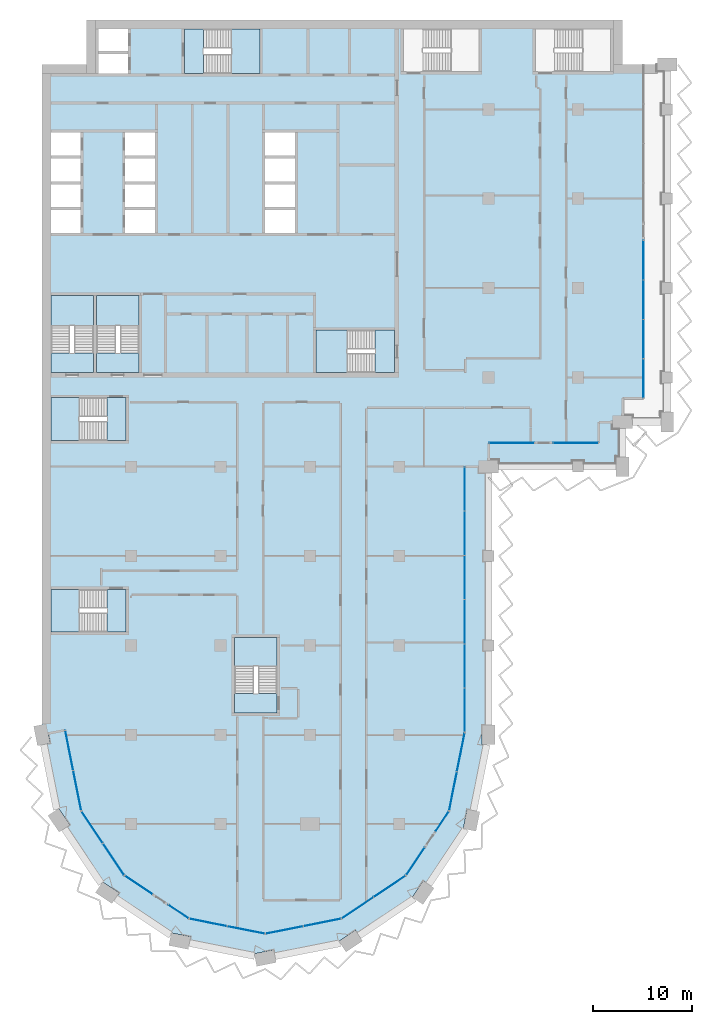
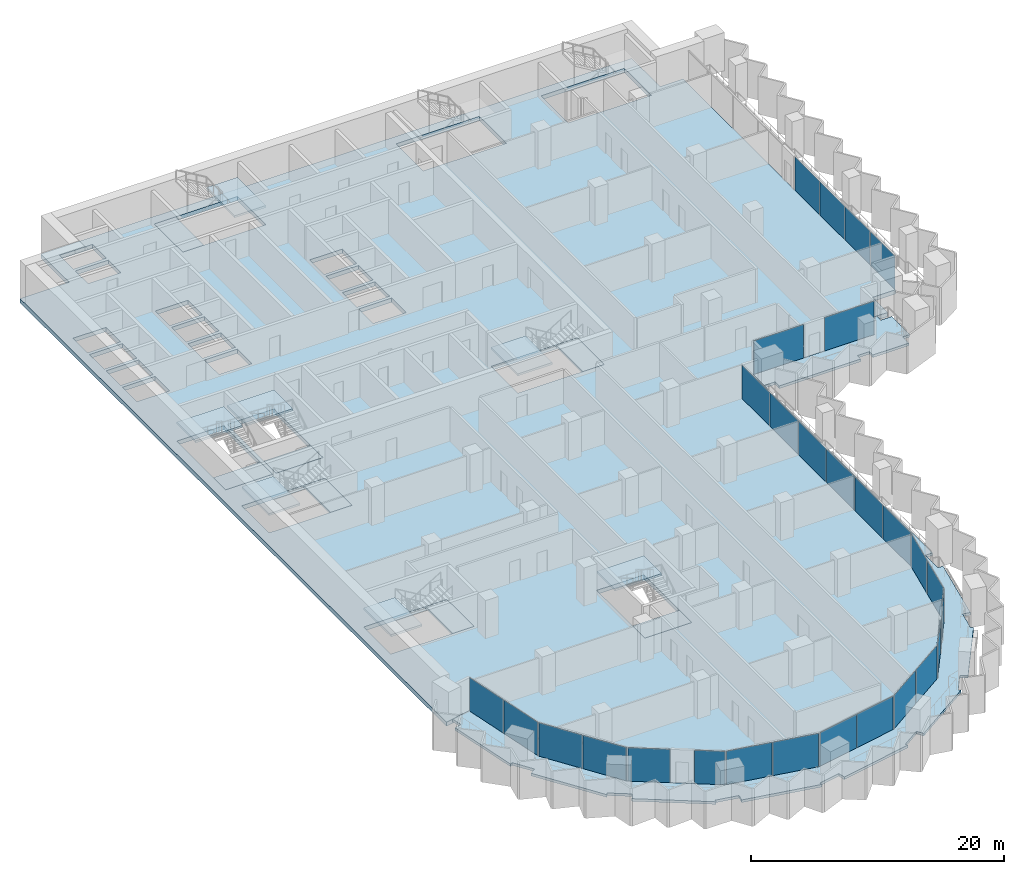
# One storey, part 7 of 23: 28 plates, 17 slabs, 21 elements without a shape of their own.
"""IFC4 building model written with IfcOpenShell, lengths in metres."""

from ifc_helpers import new_model, si_unit, direction, frame, origin, origin_2d, place, context, subcontext, project, spatial, polyline, rectangle, outline, extrude, material, layer, layer_set, type_object, element, aggregate, save


model = new_model("IFC4")

# Units and contexts
model_context = context("Model", 3, precision=1e-05, world=origin(), true_north=direction((0.0, 1.0)))
body_context = subcontext(model_context, "Body", "Model", "MODEL_VIEW")
ifc_project = project(units=[si_unit("LENGTHUNIT", "METRE"), si_unit("AREAUNIT", "SQUARE_METRE"), si_unit("VOLUMEUNIT", "CUBIC_METRE"), si_unit("PLANEANGLEUNIT", "RADIAN"), si_unit("MASSUNIT", "GRAM", prefix="KILO")], contexts=[model_context])

# Site, building, storey
site_placement = place(None, origin())
site = spatial("IfcSite", under=ifc_project, at=site_placement, CompositionType="ELEMENT")
building_placement = place(site_placement, origin())
building = spatial("IfcBuilding", under=site, at=building_placement, Name="Hunhe Ridgeline Campus", CompositionType="ELEMENT")
storey_placement = place(building_placement, frame((0.0, 0.0, 152.300048828125)))
storey = spatial("IfcBuildingStorey", under=building, at=storey_placement, Name="L38", CompositionType="ELEMENT", Elevation=152.300048828125)

# Curtain wall, plates
ifc_material_1 = material(Name="Aluminium 6063", Category="aluminium")
curtain_wall_type_1 = type_object("IfcCurtainWallType", Name="Curtain wall CW-5", PredefinedType="NOTDEFINED", material=ifc_material_1)
curtain_wall_1_placement = place(storey_placement, origin())
curtain_wall_1 = element("IfcCurtainWall", 1, at=curtain_wall_1_placement, inside=storey, type_object=curtain_wall_type_1, Name="Curtain wall 01", PredefinedType="NOTDEFINED")
ifc_material_2 = material(Name="Low-e laminated glass", Category="glass")
ifc_layer_1 = layer(ifc_material_2, 0.028076171875)
ifc_layer_set_1 = layer_set([ifc_layer_1], Name="Curtain wall glass panel 28 low-e laminated")
plate_type = type_object("IfcPlateType", Name="Curtain wall glass panel 28 low-e laminated", PredefinedType="CURTAIN_PANEL", material=ifc_layer_set_1)
plate_1_placement = place(storey_placement, frame((2.76318359375, 25.416015625, 0.0), z_axis=(0.0, 0.0, 1.0), x_axis=(0.195095347137, -0.980784280831, 0.0)))
plate_1 = element("IfcPlate", 2, at=plate_1_placement, type_object=plate_type, Name="CW-5 panel 1", PredefinedType="CURTAIN_PANEL", context=body_context, shape_type="SweptSolid", body=[
    extrude(rectangle(XDim=4.0458984375, YDim=0.028076171875, at=origin_2d()), origin(), (0.0, 0.0, 1.0), 3.22998046875),
])
plate_2_placement = place(storey_placement, frame((3.566162109375, 21.379150390625, 0.0), z_axis=(0.0, 0.0, 1.0), x_axis=(0.195095347137, -0.980784280831, 0.0)))
plate_2 = element("IfcPlate", 3, at=plate_2_placement, type_object=plate_type, Name="CW-5 panel 2", PredefinedType="CURTAIN_PANEL", context=body_context, shape_type="SweptSolid", body=[
    extrude(rectangle(XDim=4.0458984375, YDim=0.028076171875, at=origin_2d()), origin(), (0.0, 0.0, 1.0), 3.22998046875),
])
aggregate(curtain_wall_1, [plate_1, plate_2])

curtain_wall_2_placement = place(storey_placement, origin())
curtain_wall_2 = element("IfcCurtainWall", 4, at=curtain_wall_2_placement, inside=storey, type_object=curtain_wall_type_1, Name="Curtain wall 02", PredefinedType="NOTDEFINED")
plate_3_placement = place(storey_placement, frame((5.07080078125, 17.685546875, 0.0), z_axis=(0.0, 0.0, 1.0), x_axis=(0.555570274596, -0.831469584522, 0.0)))
plate_3 = element("IfcPlate", 5, at=plate_3_placement, type_object=plate_type, Name="CW-5 panel 1", PredefinedType="CURTAIN_PANEL", context=body_context, shape_type="SweptSolid", body=[
    extrude(rectangle(XDim=3.806884765625, YDim=0.028076171875, at=origin_2d()), origin(), (0.0, 0.0, 1.0), 3.22998046875),
])
plate_4_placement = place(storey_placement, frame((7.224609375, 14.4619140625, 0.0), z_axis=(0.0, 0.0, 1.0), x_axis=(0.555570274596, -0.831469584522, 0.0)))
plate_4 = element("IfcPlate", 6, at=plate_4_placement, type_object=plate_type, Name="CW-5 panel 2", PredefinedType="CURTAIN_PANEL", context=body_context, shape_type="SweptSolid", body=[
    extrude(rectangle(XDim=3.806884765625, YDim=0.028076171875, at=origin_2d()), origin(), (0.0, 0.0, 1.0), 3.22998046875),
])
aggregate(curtain_wall_2, [plate_3, plate_4])

# Curtain wall, plate
curtain_wall_3_placement = place(storey_placement, origin())
curtain_wall_3 = element("IfcCurtainWall", 7, at=curtain_wall_3_placement, inside=storey, type_object=curtain_wall_type_1, Name="Curtain wall 03", PredefinedType="NOTDEFINED")
plate_5_placement = place(storey_placement, frame((9.76025390625, 11.859375, 0.0), z_axis=(0.0, 0.0, 1.0), x_axis=(0.831469595944, -0.555570257501, 0.0)))
plate_5 = element("IfcPlate", 8, at=plate_5_placement, type_object=plate_type, Name="CW-5 panel 1", PredefinedType="CURTAIN_PANEL", context=body_context, shape_type="SweptSolid", body=[
    extrude(rectangle(XDim=3.322021484375, YDim=0.028076171875, at=origin_2d()), origin(), (0.0, 0.0, 1.0), 3.22998046875),
])
aggregate(curtain_wall_3, [plate_5])

curtain_wall_4_placement = place(storey_placement, origin())
curtain_wall_4 = element("IfcCurtainWall", 9, at=curtain_wall_4_placement, inside=storey, type_object=curtain_wall_type_1, Name="Curtain wall 04", PredefinedType="NOTDEFINED")
plate_6_placement = place(storey_placement, frame((13.761474609375, 9.18603515625, 0.0), z_axis=(0.0, 0.0, 1.0), x_axis=(0.831469510353, -0.555570385598, 0.0)))
plate_6 = element("IfcPlate", 10, at=plate_6_placement, type_object=plate_type, Name="CW-5 panel 1", PredefinedType="CURTAIN_PANEL", context=body_context, shape_type="SweptSolid", body=[
    extrude(rectangle(XDim=2.421875, YDim=0.028076171875, at=origin_2d()), origin(), (0.0, 0.0, 1.0), 3.22998046875),
])
aggregate(curtain_wall_4, [plate_6])

# Curtain wall, plates
curtain_wall_5_placement = place(storey_placement, origin())
curtain_wall_5 = element("IfcCurtainWall", 11, at=curtain_wall_5_placement, inside=storey, type_object=curtain_wall_type_1, Name="Curtain wall 05", PredefinedType="NOTDEFINED")
plate_7_placement = place(storey_placement, frame((16.761962890625, 8.08935546875, 0.0), z_axis=(0.0, 0.0, 1.0), x_axis=(0.980785275326, -0.195090347539, 0.0)))
plate_7 = element("IfcPlate", 12, at=plate_7_placement, type_object=plate_type, Name="CW-5 panel 1", PredefinedType="CURTAIN_PANEL", context=body_context, shape_type="SweptSolid", body=[
    extrude(rectangle(XDim=3.806884765625, YDim=0.028076171875, at=origin_2d()), origin(), (0.0, 0.0, 1.0), 3.22998046875),
])
plate_8_placement = place(storey_placement, frame((20.564453125, 7.3330078125, 0.0), z_axis=(0.0, 0.0, 1.0), x_axis=(0.980785275326, -0.195090347539, 0.0)))
plate_8 = element("IfcPlate", 13, at=plate_8_placement, type_object=plate_type, Name="CW-5 panel 2", PredefinedType="CURTAIN_PANEL", context=body_context, shape_type="SweptSolid", body=[
    extrude(rectangle(XDim=3.806884765625, YDim=0.028076171875, at=origin_2d()), origin(), (0.0, 0.0, 1.0), 3.22998046875),
])
aggregate(curtain_wall_5, [plate_7, plate_8])

curtain_wall_6_placement = place(storey_placement, origin())
curtain_wall_6 = element("IfcCurtainWall", 14, at=curtain_wall_6_placement, inside=storey, type_object=curtain_wall_type_1, Name="Curtain wall 06", PredefinedType="NOTDEFINED")
plate_9_placement = place(storey_placement, frame((24.435546875, 7.3330078125, 0.0), z_axis=(0.0, 0.0, 1.0), x_axis=(0.980785275326, 0.195090347539, 0.0)))
plate_9 = element("IfcPlate", 15, at=plate_9_placement, type_object=plate_type, Name="CW-5 panel 1", PredefinedType="CURTAIN_PANEL", context=body_context, shape_type="SweptSolid", body=[
    extrude(rectangle(XDim=3.806884765625, YDim=0.028076171875, at=origin_2d()), origin(), (0.0, 0.0, 1.0), 3.22998046875),
])
plate_10_placement = place(storey_placement, frame((28.238037109375, 8.08935546875, 0.0), z_axis=(0.0, 0.0, 1.0), x_axis=(0.980785275326, 0.195090347539, 0.0)))
plate_10 = element("IfcPlate", 16, at=plate_10_placement, type_object=plate_type, Name="CW-5 panel 2", PredefinedType="CURTAIN_PANEL", context=body_context, shape_type="SweptSolid", body=[
    extrude(rectangle(XDim=3.806884765625, YDim=0.028076171875, at=origin_2d()), origin(), (0.0, 0.0, 1.0), 3.22998046875),
])
aggregate(curtain_wall_6, [plate_9, plate_10])

curtain_wall_7_placement = place(storey_placement, origin())
curtain_wall_7 = element("IfcCurtainWall", 17, at=curtain_wall_7_placement, inside=storey, type_object=curtain_wall_type_1, Name="Curtain wall 07", PredefinedType="NOTDEFINED")
plate_11_placement = place(storey_placement, frame((31.814453125, 9.57080078125, 0.0), z_axis=(0.0, 0.0, 1.0), x_axis=(0.831469584522, 0.555570274596, 0.0)))
plate_11 = element("IfcPlate", 18, at=plate_11_placement, type_object=plate_type, Name="CW-5 panel 1", PredefinedType="CURTAIN_PANEL", context=body_context, shape_type="SweptSolid", body=[
    extrude(rectangle(XDim=3.806884765625, YDim=0.028076171875, at=origin_2d()), origin(), (0.0, 0.0, 1.0), 3.22998046875),
])
plate_12_placement = place(storey_placement, frame((35.0380859375, 11.724609375, 0.0), z_axis=(0.0, 0.0, 1.0), x_axis=(0.831469584522, 0.555570274596, 0.0)))
plate_12 = element("IfcPlate", 19, at=plate_12_placement, type_object=plate_type, Name="CW-5 panel 2", PredefinedType="CURTAIN_PANEL", context=body_context, shape_type="SweptSolid", body=[
    extrude(rectangle(XDim=3.806884765625, YDim=0.028076171875, at=origin_2d()), origin(), (0.0, 0.0, 1.0), 3.22998046875),
])
aggregate(curtain_wall_7, [plate_11, plate_12])

# Curtain wall, plate
curtain_wall_8_placement = place(storey_placement, origin())
curtain_wall_8 = element("IfcCurtainWall", 20, at=curtain_wall_8_placement, inside=storey, type_object=curtain_wall_type_1, Name="Curtain wall 08", PredefinedType="NOTDEFINED")
plate_13_placement = place(storey_placement, frame((37.640625, 14.26025390625, 0.0), z_axis=(0.0, 0.0, 1.0), x_axis=(0.555570257501, 0.831469595944, 0.0)))
plate_13 = element("IfcPlate", 21, at=plate_13_placement, type_object=plate_type, Name="CW-5 panel 1", PredefinedType="CURTAIN_PANEL", context=body_context, shape_type="SweptSolid", body=[
    extrude(rectangle(XDim=3.322021484375, YDim=0.028076171875, at=origin_2d()), origin(), (0.0, 0.0, 1.0), 3.22998046875),
])
aggregate(curtain_wall_8, [plate_13])

curtain_wall_9_placement = place(storey_placement, origin())
curtain_wall_9 = element("IfcCurtainWall", 22, at=curtain_wall_9_placement, inside=storey, type_object=curtain_wall_type_1, Name="Curtain wall 09", PredefinedType="NOTDEFINED")
plate_14_placement = place(storey_placement, frame((40.31396484375, 18.261474609375, 0.0), z_axis=(0.0, 0.0, 1.0), x_axis=(0.555570385598, 0.831469510353, 0.0)))
plate_14 = element("IfcPlate", 23, at=plate_14_placement, type_object=plate_type, Name="CW-5 panel 1", PredefinedType="CURTAIN_PANEL", context=body_context, shape_type="SweptSolid", body=[
    extrude(rectangle(XDim=2.421875, YDim=0.028076171875, at=origin_2d()), origin(), (0.0, 0.0, 1.0), 3.22998046875),
])
aggregate(curtain_wall_9, [plate_14])

# Curtain wall, plates
curtain_wall_10_placement = place(storey_placement, origin())
curtain_wall_10 = element("IfcCurtainWall", 24, at=curtain_wall_10_placement, inside=storey, type_object=curtain_wall_type_1, Name="Curtain wall 10", PredefinedType="NOTDEFINED")
plate_15_placement = place(storey_placement, frame((41.42236328125, 21.321044921875, 0.0), z_axis=(0.0, 0.0, 1.0), x_axis=(0.195090299215, 0.980785284939, 0.0)))
plate_15 = element("IfcPlate", 25, at=plate_15_placement, type_object=plate_type, Name="CW-5 panel 1", PredefinedType="CURTAIN_PANEL", context=body_context, shape_type="SweptSolid", body=[
    extrude(rectangle(XDim=3.927490234375, YDim=0.028076171875, at=origin_2d()), origin(), (0.0, 0.0, 1.0), 3.22998046875),
])
plate_16_placement = place(storey_placement, frame((42.2021484375, 25.24169921875, 0.0), z_axis=(0.0, 0.0, 1.0), x_axis=(0.195090299215, 0.980785284939, 0.0)))
plate_16 = element("IfcPlate", 26, at=plate_16_placement, type_object=plate_type, Name="CW-5 panel 2", PredefinedType="CURTAIN_PANEL", context=body_context, shape_type="SweptSolid", body=[
    extrude(rectangle(XDim=3.927490234375, YDim=0.028076171875, at=origin_2d()), origin(), (0.0, 0.0, 1.0), 3.22998046875),
])
aggregate(curtain_wall_10, [plate_15, plate_16])

curtain_wall_type_2 = type_object("IfcCurtainWallType", Name="Curtain wall CW-1", PredefinedType="NOTDEFINED", material=ifc_material_1)
curtain_wall_11_placement = place(storey_placement, origin())
curtain_wall_11 = element("IfcCurtainWall", 27, at=curtain_wall_11_placement, inside=storey, type_object=curtain_wall_type_2, Name="Curtain wall 11", PredefinedType="NOTDEFINED")
plate_17_placement = place(storey_placement, frame((42.59912109375, 29.481689453125, 0.0), z_axis=(0.0, 0.0, 1.0), x_axis=(4.408911e-06, 0.99999999999, 0.0)))
plate_17 = element("IfcPlate", 28, at=plate_17_placement, type_object=plate_type, Name="CW-1 panel 1", PredefinedType="CURTAIN_PANEL", context=body_context, shape_type="SweptSolid", body=[
    extrude(rectangle(XDim=4.37060546875, YDim=0.028076171875, at=origin_2d()), origin(), (0.0, 0.0, 1.0), 3.239990234375),
])
plate_18_placement = place(storey_placement, frame((42.59912109375, 33.927490234375, 0.0), z_axis=(0.0, 0.0, 1.0), x_axis=(4.408911e-06, 0.99999999999, 0.0)))
plate_18 = element("IfcPlate", 29, at=plate_18_placement, type_object=plate_type, Name="CW-1 panel 2", PredefinedType="CURTAIN_PANEL", context=body_context, shape_type="SweptSolid", body=[
    extrude(rectangle(XDim=4.400634765625, YDim=0.028076171875, at=origin_2d()), origin(), (0.0, 0.0, 1.0), 3.239990234375),
])
plate_19_placement = place(storey_placement, frame((42.59912109375, 38.38818359375, 0.0), z_axis=(0.0, 0.0, 1.0), x_axis=(4.408911e-06, 0.99999999999, 0.0)))
plate_19 = element("IfcPlate", 30, at=plate_19_placement, type_object=plate_type, Name="CW-1 panel 3", PredefinedType="CURTAIN_PANEL", context=body_context, shape_type="SweptSolid", body=[
    extrude(rectangle(XDim=4.400634765625, YDim=0.028076171875, at=origin_2d()), origin(), (0.0, 0.0, 1.0), 3.239990234375),
])
plate_20_placement = place(storey_placement, frame((42.59912109375, 42.848876953125, 0.0), z_axis=(0.0, 0.0, 1.0), x_axis=(4.408911e-06, 0.99999999999, 0.0)))
plate_20 = element("IfcPlate", 31, at=plate_20_placement, type_object=plate_type, Name="CW-1 panel 4", PredefinedType="CURTAIN_PANEL", context=body_context, shape_type="SweptSolid", body=[
    extrude(rectangle(XDim=4.400634765625, YDim=0.028076171875, at=origin_2d()), origin(), (0.0, 0.0, 1.0), 3.239990234375),
])
plate_21_placement = place(storey_placement, frame((42.59912109375, 47.3095703125, 0.0), z_axis=(0.0, 0.0, 1.0), x_axis=(4.408911e-06, 0.99999999999, 0.0)))
plate_21 = element("IfcPlate", 32, at=plate_21_placement, type_object=plate_type, Name="CW-1 panel 5", PredefinedType="CURTAIN_PANEL", context=body_context, shape_type="SweptSolid", body=[
    extrude(rectangle(XDim=4.400634765625, YDim=0.028076171875, at=origin_2d()), origin(), (0.0, 0.0, 1.0), 3.239990234375),
])
plate_22_placement = place(storey_placement, frame((42.59912109375, 51.755126953125, 0.0), z_axis=(0.0, 0.0, 1.0), x_axis=(4.408911e-06, 0.99999999999, 0.0)))
plate_22 = element("IfcPlate", 33, at=plate_22_placement, type_object=plate_type, Name="CW-1 panel 6", PredefinedType="CURTAIN_PANEL", context=body_context, shape_type="SweptSolid", body=[
    extrude(rectangle(XDim=4.37060546875, YDim=0.028076171875, at=origin_2d()), origin(), (0.0, 0.0, 1.0), 3.239990234375),
])
aggregate(curtain_wall_11, [plate_17, plate_18, plate_19, plate_20, plate_21, plate_22])

# Curtain wall, plate
curtain_wall_12_placement = place(storey_placement, origin())
curtain_wall_12 = element("IfcCurtainWall", 34, at=curtain_wall_12_placement, inside=storey, type_object=curtain_wall_type_2, Name="Curtain wall 12", PredefinedType="NOTDEFINED")
plate_23_placement = place(storey_placement, frame((47.32470703125, 56.40087890625, 0.0), z_axis=(0.0, 0.0, 1.0), x_axis=(0.999999999999, 1.72058e-06, 0.0)))
plate_23 = element("IfcPlate", 35, at=plate_23_placement, type_object=plate_type, Name="CW-1 panel 1", PredefinedType="CURTAIN_PANEL", context=body_context, shape_type="SweptSolid", body=[
    extrude(rectangle(XDim=4.529541015625, YDim=0.028076171875, at=origin_2d()), origin(), (0.0, 0.0, 1.0), 3.239990234375),
])
aggregate(curtain_wall_12, [plate_23])

curtain_wall_13_placement = place(storey_placement, origin())
curtain_wall_13 = element("IfcCurtainWall", 36, at=curtain_wall_13_placement, inside=storey, type_object=curtain_wall_type_2, Name="Curtain wall 13", PredefinedType="NOTDEFINED")
plate_24_placement = place(storey_placement, frame((53.774169921875, 56.40087890625, 0.0), z_axis=(0.0, 0.0, 1.0), x_axis=(0.999999999999, 1.72058e-06, 0.0)))
plate_24 = element("IfcPlate", 37, at=plate_24_placement, type_object=plate_type, Name="CW-1 panel 1", PredefinedType="CURTAIN_PANEL", context=body_context, shape_type="SweptSolid", body=[
    extrude(rectangle(XDim=4.529541015625, YDim=0.028076171875, at=origin_2d()), origin(), (0.0, 0.0, 1.0), 3.239990234375),
])
aggregate(curtain_wall_13, [plate_24])

# Curtain wall, plates
curtain_wall_14_placement = place(storey_placement, origin())
curtain_wall_14 = element("IfcCurtainWall", 38, at=curtain_wall_14_placement, inside=storey, type_object=curtain_wall_type_2, Name="Curtain wall 14", PredefinedType="NOTDEFINED")
plate_25_placement = place(storey_placement, frame((60.59912109375, 62.9033203125, 0.0), z_axis=(0.0, 0.0, 1.0), x_axis=(0.0, 1.0, 0.0)))
plate_25 = element("IfcPlate", 39, at=plate_25_placement, type_object=plate_type, Name="CW-1 panel 1", PredefinedType="CURTAIN_PANEL", context=body_context, shape_type="SweptSolid", body=[
    extrude(rectangle(XDim=3.884765625, YDim=0.028076171875, at=origin_2d()), origin(), (0.0, 0.0, 1.0), 3.239990234375),
])
plate_26_placement = place(storey_placement, frame((60.59912109375, 66.86328125, 0.0), z_axis=(0.0, 0.0, 1.0), x_axis=(0.0, 1.0, 0.0)))
plate_26 = element("IfcPlate", 40, at=plate_26_placement, type_object=plate_type, Name="CW-1 panel 2", PredefinedType="CURTAIN_PANEL", context=body_context, shape_type="SweptSolid", body=[
    extrude(rectangle(XDim=3.914794921875, YDim=0.028076171875, at=origin_2d()), origin(), (0.0, 0.0, 1.0), 3.239990234375),
])
plate_27_placement = place(storey_placement, frame((60.59912109375, 70.838134765625, 0.0), z_axis=(0.0, 0.0, 1.0), x_axis=(0.0, 1.0, 0.0)))
plate_27 = element("IfcPlate", 41, at=plate_27_placement, type_object=plate_type, Name="CW-1 panel 3", PredefinedType="CURTAIN_PANEL", context=body_context, shape_type="SweptSolid", body=[
    extrude(rectangle(XDim=3.914794921875, YDim=0.028076171875, at=origin_2d()), origin(), (0.0, 0.0, 1.0), 3.239990234375),
])
plate_28_placement = place(storey_placement, frame((60.59912109375, 74.798095703125, 0.0), z_axis=(0.0, 0.0, 1.0), x_axis=(0.0, 1.0, 0.0)))
plate_28 = element("IfcPlate", 42, at=plate_28_placement, type_object=plate_type, Name="CW-1 panel 4", PredefinedType="CURTAIN_PANEL", context=body_context, shape_type="SweptSolid", body=[
    extrude(rectangle(XDim=3.884765625, YDim=0.028076171875, at=origin_2d()), origin(), (0.0, 0.0, 1.0), 3.239990234375),
])
aggregate(curtain_wall_14, [plate_25, plate_26, plate_27, plate_28])

# Slabs
ifc_material_3 = material(Name="Concrete C40", Category="concrete")
ifc_layer_2 = layer(ifc_material_3, 0.39990234375)
ifc_layer_set_2 = layer_set([ifc_layer_2], Name="Floor slab 400 Concrete C40")
slab_type_1 = type_object("IfcSlabType", Name="Floor slab 400 Concrete C40", PredefinedType="FLOOR", material=ifc_layer_set_2)
slab_1_placement = place(storey_placement, frame((0.0, 0.0, -0.400146484375)))
element("IfcSlab", 43, at=slab_1_placement, inside=storey, type_object=slab_type_1, Name="Floor slab L38 1", PredefinedType="FLOOR", context=body_context, shape_type="SweptSolid", body=[
    extrude(outline(polyline([(2.354736328125, 27.46875), (3.974365234375, 19.326416015625), (8.321044921875, 12.821044921875), (14.826416015625, 8.474365234375), (22.5, 6.947998046875), (30.173583984375, 8.474365234375), (36.678955078125, 12.821044921875), (41.025634765625, 19.326416015625), (42.59912109375, 27.236572265625), (42.59912109375, 54.00048828125), (44.9990234375, 54.0009765625), (44.999755859375, 56.40087890625), (56.09912109375, 56.40087890625), (56.099365234375, 58.500732421875), (58.4990234375, 58.5009765625), (58.499267578125, 60.900634765625), (60.59912109375, 60.90087890625), (60.59912109375, 94.5), (58.5, 94.5), (58.5, 99.0), (4.5, 99.0), (4.5, 94.5), (0.0, 94.5), (0.0, 27.0009765625), (2.354736328125, 27.46875)]), holes=[polyline([(49.699951171875, 93.800048828125), (57.300048828125, 93.800048828125), (57.300048828125, 98.10009765625), (49.699951171875, 98.10009765625), (49.699951171875, 93.800048828125)]), polyline([(44.050048828125, 93.800048828125), (44.050048828125, 98.10009765625), (36.449951171875, 98.10009765625), (36.449951171875, 93.800048828125), (44.050048828125, 93.800048828125)]), polyline([(35.5, 67.75), (27.60009765625, 67.75), (27.60009765625, 63.5), (35.5, 63.5), (35.5, 67.75)]), polyline([(25.5, 82.75), (25.5, 85.050048828125), (22.5, 85.050048828125), (22.5, 82.75), (25.5, 82.75)]), polyline([(25.5, 82.449951171875), (22.5, 82.449951171875), (22.5, 80.14990234375), (25.5, 80.14990234375), (25.5, 82.449951171875)]), polyline([(22.5, 85.35009765625), (25.5, 85.35009765625), (25.5, 87.64990234375), (22.5, 87.64990234375), (22.5, 85.35009765625)]), polyline([(22.5, 79.85009765625), (22.5, 77.550048828125), (25.5, 77.550048828125), (25.5, 79.85009765625), (22.5, 79.85009765625)]), polyline([(19.39990234375, 29.199951171875), (23.699951171875, 29.199951171875), (23.699951171875, 36.800048828125), (19.39990234375, 36.800048828125), (19.39990234375, 29.199951171875)]), polyline([(21.949951171875, 93.60009765625), (21.949951171875, 98.10009765625), (14.35009765625, 98.10009765625), (14.35009765625, 93.60009765625), (21.949951171875, 93.60009765625)]), polyline([(8.39990234375, 79.85009765625), (8.39990234375, 77.550048828125), (11.39990234375, 77.550048828125), (11.39990234375, 79.85009765625), (8.39990234375, 79.85009765625)]), polyline([(8.39990234375, 85.35009765625), (11.39990234375, 85.35009765625), (11.39990234375, 87.64990234375), (8.39990234375, 87.64990234375), (8.39990234375, 85.35009765625)]), polyline([(11.39990234375, 82.449951171875), (8.39990234375, 82.449951171875), (8.39990234375, 80.14990234375), (11.39990234375, 80.14990234375), (11.39990234375, 82.449951171875)]), polyline([(11.39990234375, 82.75), (11.39990234375, 85.050048828125), (8.39990234375, 85.050048828125), (8.39990234375, 82.75), (11.39990234375, 82.75)]), polyline([(5.5, 71.25), (5.5, 63.5), (9.800048828125, 63.5), (9.800048828125, 71.25), (5.5, 71.25)]), polyline([(8.699951171875, 98.10009765625), (5.699951171875, 98.10009765625), (5.699951171875, 95.89990234375), (8.699951171875, 95.89990234375), (8.699951171875, 98.10009765625)]), polyline([(5.699951171875, 95.60009765625), (5.699951171875, 93.60009765625), (8.699951171875, 93.60009765625), (8.699951171875, 95.60009765625), (5.699951171875, 95.60009765625)]), polyline([(0.89990234375, 60.949951171875), (0.89990234375, 56.64990234375), (8.5, 56.64990234375), (8.5, 60.949951171875), (0.89990234375, 60.949951171875)]), polyline([(0.89990234375, 37.35009765625), (8.5, 37.35009765625), (8.5, 41.64990234375), (0.89990234375, 41.64990234375), (0.89990234375, 37.35009765625)]), polyline([(0.89990234375, 63.5), (5.199951171875, 63.5), (5.199951171875, 71.25), (0.89990234375, 71.25), (0.89990234375, 63.5)]), polyline([(3.89990234375, 82.75), (3.89990234375, 85.050048828125), (0.89990234375, 85.050048828125), (0.89990234375, 82.75), (3.89990234375, 82.75)]), polyline([(3.89990234375, 82.449951171875), (0.89990234375, 82.449951171875), (0.89990234375, 80.14990234375), (3.89990234375, 80.14990234375), (3.89990234375, 82.449951171875)]), polyline([(0.89990234375, 85.35009765625), (3.89990234375, 85.35009765625), (3.89990234375, 87.64990234375), (0.89990234375, 87.64990234375), (0.89990234375, 85.35009765625)]), polyline([(0.89990234375, 79.85009765625), (0.89990234375, 77.550048828125), (3.89990234375, 77.550048828125), (3.89990234375, 79.85009765625), (0.89990234375, 79.85009765625)])]), origin(), (0.0, 0.0, 1.0), 0.400146484375),
])
ifc_layer_3 = layer(ifc_material_3, 0.25)
ifc_layer_set_3 = layer_set([ifc_layer_3], Name="Loggia slab 250 Concrete C40")
slab_type_2 = type_object("IfcSlabType", Name="Loggia slab 250 Concrete C40", PredefinedType="FLOOR", material=ifc_layer_set_3)
slab_2_placement = place(storey_placement, frame((0.0, 0.0, -0.25)))
element("IfcSlab", 44, at=slab_2_placement, inside=storey, type_object=slab_type_2, Name="Loggia slab 1", PredefinedType="FLOOR", context=body_context, shape_type="SweptSolid", body=[
    extrude(outline(polyline([(30.173828125, 8.473388671875), (22.5, 6.947021484375), (14.826171875, 8.473388671875), (8.3203125, 12.8203125), (3.973388671875, 19.326171875), (2.35400390625, 27.46826171875), (0.637451171875, 27.126708984375), (0.83251953125, 26.14599609375), (0.195068359375, 26.019287109375), (1.50146484375, 19.451171875), (1.697509765625, 19.582275390625), (2.808837890625, 17.919189453125), (2.268310546875, 17.55810546875), (5.98876953125, 11.989990234375), (6.11962890625, 12.18603515625), (7.78271484375, 11.074951171875), (7.421630859375, 10.534423828125), (12.98974609375, 6.81396484375), (13.03564453125, 7.04541015625), (14.997314453125, 6.655029296875), (14.870361328125, 6.017578125), (21.4384765625, 4.711181640625), (21.392333984375, 4.9423828125), (23.35400390625, 5.33251953125), (23.480712890625, 4.695068359375), (30.048828125, 6.00146484375), (29.917724609375, 6.197509765625), (31.580810546875, 7.308837890625), (31.94189453125, 6.768310546875), (37.510009765625, 10.48876953125), (37.31396484375, 10.61962890625), (38.425048828125, 12.28271484375), (38.965576171875, 11.921630859375), (42.68603515625, 17.48974609375), (42.45458984375, 17.53564453125), (42.844970703125, 19.497314453125), (43.482421875, 19.370361328125), (44.801025390625, 26.0), (44.35009765625, 26.0), (44.35009765625, 28.0), (45.0, 28.0), (45.0, 35.449951171875), (44.449951171875, 35.449951171875), (44.449951171875, 36.550048828125), (45.0, 36.550048828125), (45.0, 44.449951171875), (44.449951171875, 44.449951171875), (44.449951171875, 45.550048828125), (45.0, 45.550048828125), (45.0, 53.35009765625), (44.0, 53.35009765625), (44.0, 54.0), (42.60009765625, 54.0), (42.60009765625, 27.236328125), (41.026611328125, 19.326171875), (36.6796875, 12.8203125), (30.173828125, 8.473388671875)])), origin(), (0.0, 0.0, 1.0), 0.25),
])
slab_3_placement = place(storey_placement, frame((0.0, 0.0, -0.25)))
element("IfcSlab", 45, at=slab_3_placement, inside=storey, type_object=slab_type_2, Name="Loggia slab 2", PredefinedType="FLOOR", context=body_context, shape_type="SweptSolid", body=[
    extrude(outline(polyline([(45.0, 54.64990234375), (46.0, 54.64990234375), (46.0, 54.0), (53.449951171875, 54.0), (53.449951171875, 54.550048828125), (54.550048828125, 54.550048828125), (54.550048828125, 54.0), (57.85009765625, 54.0), (57.85009765625, 55.0), (58.5, 55.0), (58.5, 57.85009765625), (57.5, 57.85009765625), (57.5, 58.5), (56.10009765625, 58.5), (56.10009765625, 56.39990234375), (45.0, 56.39990234375), (45.0, 54.64990234375)])), origin(), (0.0, 0.0, 1.0), 0.25),
])

# Stair, slab
stair_type = type_object("IfcStairType", Name="Reinforced concrete dog-leg stair 1950 Concrete C40", PredefinedType="HALF_TURN_STAIR", material=ifc_material_3)
stair_1_placement = place(storey_placement, origin())
stair_1 = element("IfcStair", 46, at=stair_1_placement, inside=storey, type_object=stair_type, Name="L38 S1", PredefinedType="HALF_TURN_STAIR")
ifc_layer_4 = layer(ifc_material_3, 0.199951171875)
ifc_layer_set_4 = layer_set([ifc_layer_4], Name="Reinforced concrete stair landing 200 Concrete C40")
slab_type_3 = type_object("IfcSlabType", Name="Reinforced concrete stair landing 200 Concrete C40", PredefinedType="LANDING", material=ifc_layer_set_4)
slab_4_placement = place(storey_placement, frame((0.0, 0.0, 1.64990234375)))
slab_4 = element("IfcSlab", 47, at=slab_4_placement, type_object=slab_type_3, Name="ST1 landing 1", PredefinedType="LANDING", context=body_context, shape_type="SweptSolid", body=[
    extrude(outline(polyline([(19.10009765625, 93.60009765625), (21.949951171875, 93.60009765625), (21.949951171875, 98.10009765625), (19.10009765625, 98.10009765625), (19.10009765625, 93.60009765625)])), origin(), (0.0, 0.0, 1.0), 0.199951171875),
])
aggregate(stair_1, [slab_4])

# Slab
slab_5_placement = place(storey_placement, frame((0.0, 0.0, -0.199951171875)))
element("IfcSlab", 48, at=slab_5_placement, inside=storey, type_object=slab_type_3, Name="L38 stair S1 floor landing", PredefinedType="LANDING", context=body_context, shape_type="SweptSolid", body=[
    extrude(outline(polyline([(14.35009765625, 93.60009765625), (16.300048828125, 93.60009765625), (16.300048828125, 98.10009765625), (14.35009765625, 98.10009765625), (14.35009765625, 93.60009765625)])), origin(), (0.0, 0.0, 1.0), 0.199951171875),
])

# Stair, slab
stair_2_placement = place(storey_placement, origin())
stair_2 = element("IfcStair", 49, at=stair_2_placement, inside=storey, type_object=stair_type, Name="L38 S2", PredefinedType="HALF_TURN_STAIR")
slab_6_placement = place(storey_placement, frame((0.0, 0.0, 1.64990234375)))
slab_6 = element("IfcSlab", 50, at=slab_6_placement, type_object=slab_type_3, Name="ST2 landing 1", PredefinedType="LANDING", context=body_context, shape_type="SweptSolid", body=[
    extrude(outline(polyline([(30.75, 67.75), (27.60009765625, 67.75), (27.60009765625, 63.5), (30.75, 63.5), (30.75, 67.75)])), origin(), (0.0, 0.0, 1.0), 0.199951171875),
])
aggregate(stair_2, [slab_6])

# Slab
slab_7_placement = place(storey_placement, frame((0.0, 0.0, -0.199951171875)))
element("IfcSlab", 51, at=slab_7_placement, inside=storey, type_object=slab_type_3, Name="L38 stair S2 floor landing", PredefinedType="LANDING", context=body_context, shape_type="SweptSolid", body=[
    extrude(outline(polyline([(35.5, 67.75), (33.550048828125, 67.75), (33.550048828125, 63.5), (35.5, 63.5), (35.5, 67.75)])), origin(), (0.0, 0.0, 1.0), 0.199951171875),
])

# Stair, slab
stair_3_placement = place(storey_placement, origin())
stair_3 = element("IfcStair", 52, at=stair_3_placement, inside=storey, type_object=stair_type, Name="L38 S3", PredefinedType="HALF_TURN_STAIR")
slab_8_placement = place(storey_placement, frame((0.0, 0.0, 1.64990234375)))
slab_8 = element("IfcSlab", 53, at=slab_8_placement, type_object=slab_type_3, Name="ST3 landing 1", PredefinedType="LANDING", context=body_context, shape_type="SweptSolid", body=[
    extrude(outline(polyline([(5.199951171875, 68.25), (5.199951171875, 71.25), (0.89990234375, 71.25), (0.89990234375, 68.25), (5.199951171875, 68.25)])), origin(), (0.0, 0.0, 1.0), 0.199951171875),
])
aggregate(stair_3, [slab_8])

# Slab
slab_9_placement = place(storey_placement, frame((0.0, 0.0, -0.199951171875)))
element("IfcSlab", 54, at=slab_9_placement, inside=storey, type_object=slab_type_3, Name="L38 stair S3 floor landing", PredefinedType="LANDING", context=body_context, shape_type="SweptSolid", body=[
    extrude(outline(polyline([(5.199951171875, 63.5), (5.199951171875, 65.449951171875), (0.89990234375, 65.449951171875), (0.89990234375, 63.5), (5.199951171875, 63.5)])), origin(), (0.0, 0.0, 1.0), 0.199951171875),
])

# Stair, slab
stair_4_placement = place(storey_placement, origin())
stair_4 = element("IfcStair", 55, at=stair_4_placement, inside=storey, type_object=stair_type, Name="L38 S4", PredefinedType="HALF_TURN_STAIR")
slab_10_placement = place(storey_placement, frame((0.0, 0.0, 1.64990234375)))
slab_10 = element("IfcSlab", 56, at=slab_10_placement, type_object=slab_type_3, Name="ST4 landing 1", PredefinedType="LANDING", context=body_context, shape_type="SweptSolid", body=[
    extrude(outline(polyline([(9.800048828125, 68.25), (9.800048828125, 71.25), (5.5, 71.25), (5.5, 68.25), (9.800048828125, 68.25)])), origin(), (0.0, 0.0, 1.0), 0.199951171875),
])
aggregate(stair_4, [slab_10])

# Slab
slab_11_placement = place(storey_placement, frame((0.0, 0.0, -0.199951171875)))
element("IfcSlab", 57, at=slab_11_placement, inside=storey, type_object=slab_type_3, Name="L38 stair S4 floor landing", PredefinedType="LANDING", context=body_context, shape_type="SweptSolid", body=[
    extrude(outline(polyline([(9.800048828125, 63.5), (9.800048828125, 65.449951171875), (5.5, 65.449951171875), (5.5, 63.5), (9.800048828125, 63.5)])), origin(), (0.0, 0.0, 1.0), 0.199951171875),
])

# Stair, slab
stair_5_placement = place(storey_placement, origin())
stair_5 = element("IfcStair", 58, at=stair_5_placement, inside=storey, type_object=stair_type, Name="L38 W3", PredefinedType="HALF_TURN_STAIR")
slab_12_placement = place(storey_placement, frame((0.0, 0.0, 1.64990234375)))
slab_12 = element("IfcSlab", 59, at=slab_12_placement, type_object=slab_type_3, Name="ST9 landing 1", PredefinedType="LANDING", context=body_context, shape_type="SweptSolid", body=[
    extrude(outline(polyline([(23.699951171875, 33.949951171875), (23.699951171875, 36.800048828125), (19.39990234375, 36.800048828125), (19.39990234375, 33.949951171875), (23.699951171875, 33.949951171875)])), origin(), (0.0, 0.0, 1.0), 0.199951171875),
])
aggregate(stair_5, [slab_12])

# Slab
slab_13_placement = place(storey_placement, frame((0.0, 0.0, -0.199951171875)))
element("IfcSlab", 60, at=slab_13_placement, inside=storey, type_object=slab_type_3, Name="L38 stair W3 floor landing", PredefinedType="LANDING", context=body_context, shape_type="SweptSolid", body=[
    extrude(outline(polyline([(23.699951171875, 29.199951171875), (23.699951171875, 31.14990234375), (19.39990234375, 31.14990234375), (19.39990234375, 29.199951171875), (23.699951171875, 29.199951171875)])), origin(), (0.0, 0.0, 1.0), 0.199951171875),
])

# Stair, slab
stair_6_placement = place(storey_placement, origin())
stair_6 = element("IfcStair", 61, at=stair_6_placement, inside=storey, type_object=stair_type, Name="L38 W1", PredefinedType="HALF_TURN_STAIR")
slab_14_placement = place(storey_placement, frame((0.0, 0.0, 1.64990234375)))
slab_14 = element("IfcSlab", 62, at=slab_14_placement, type_object=slab_type_3, Name="ST11 landing 1", PredefinedType="LANDING", context=body_context, shape_type="SweptSolid", body=[
    extrude(outline(polyline([(3.75, 41.64990234375), (0.89990234375, 41.64990234375), (0.89990234375, 37.35009765625), (3.75, 37.35009765625), (3.75, 41.64990234375)])), origin(), (0.0, 0.0, 1.0), 0.199951171875),
])
aggregate(stair_6, [slab_14])

# Slab
slab_15_placement = place(storey_placement, frame((0.0, 0.0, -0.199951171875)))
element("IfcSlab", 63, at=slab_15_placement, inside=storey, type_object=slab_type_3, Name="L38 stair W1 floor landing", PredefinedType="LANDING", context=body_context, shape_type="SweptSolid", body=[
    extrude(outline(polyline([(8.5, 41.64990234375), (6.550048828125, 41.64990234375), (6.550048828125, 37.35009765625), (8.5, 37.35009765625), (8.5, 41.64990234375)])), origin(), (0.0, 0.0, 1.0), 0.199951171875),
])

# Stair, slab
stair_7_placement = place(storey_placement, origin())
stair_7 = element("IfcStair", 64, at=stair_7_placement, inside=storey, type_object=stair_type, Name="L38 W2", PredefinedType="HALF_TURN_STAIR")
slab_16_placement = place(storey_placement, frame((0.0, 0.0, 1.64990234375)))
slab_16 = element("IfcSlab", 65, at=slab_16_placement, type_object=slab_type_3, Name="ST12 landing 1", PredefinedType="LANDING", context=body_context, shape_type="SweptSolid", body=[
    extrude(outline(polyline([(3.75, 60.949951171875), (0.89990234375, 60.949951171875), (0.89990234375, 56.64990234375), (3.75, 56.64990234375), (3.75, 60.949951171875)])), origin(), (0.0, 0.0, 1.0), 0.199951171875),
])
aggregate(stair_7, [slab_16])

# Slab
slab_17_placement = place(storey_placement, frame((0.0, 0.0, -0.199951171875)))
element("IfcSlab", 66, at=slab_17_placement, inside=storey, type_object=slab_type_3, Name="L38 stair W2 floor landing", PredefinedType="LANDING", context=body_context, shape_type="SweptSolid", body=[
    extrude(outline(polyline([(8.5, 60.949951171875), (6.550048828125, 60.949951171875), (6.550048828125, 56.64990234375), (8.5, 56.64990234375), (8.5, 60.949951171875)])), origin(), (0.0, 0.0, 1.0), 0.199951171875),
])

save(model, "model.ifc")
